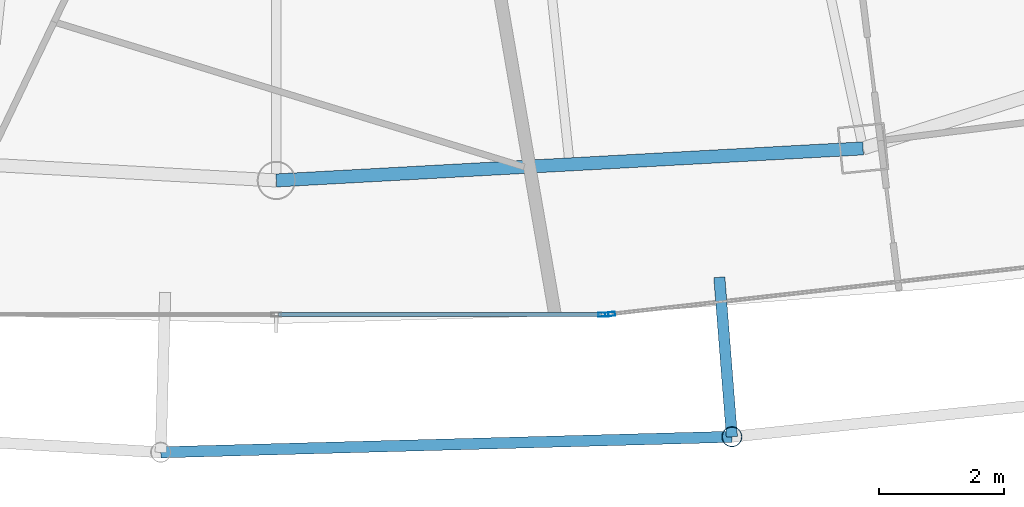
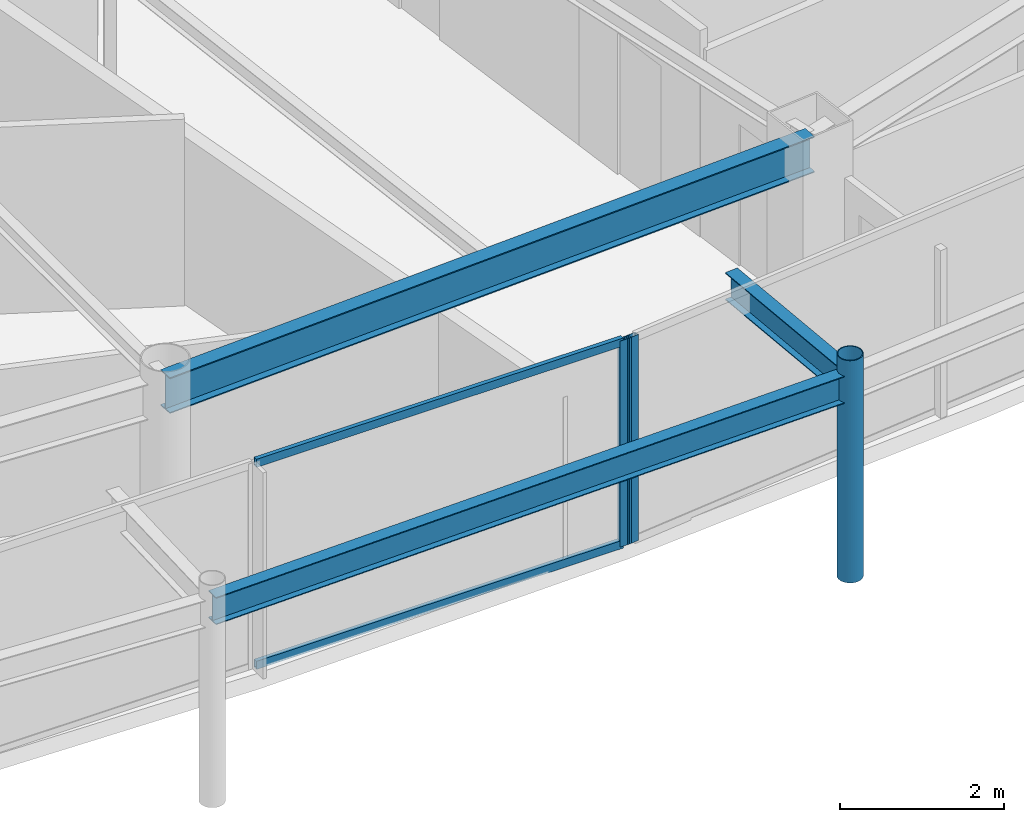
# One storey, part 9 of 33: 5 members, 3 beams, 2 elements without a shape of their own.
"""IFC4 building model written with IfcOpenShell, lengths in metres."""

import ifcopenshell
import ifcopenshell.guid

model = None  # the IFC model being written
_history = None  # IfcOwnerHistory: only IFC2X3 demands one
_inside = {}  # id of a spatial element -> (the spatial element, [elements in it])
_under = {}  # id of a project, library or spatial element -> (it, [spatial elements below it])
_declared = {}  # id of a project -> (the project, [libraries it declares])
_typed = {}  # id of a type object -> (the type object, [elements of that type])
_made_of = {}  # id of a material, layer set ... -> (it, [elements and type objects made of it])


def new_model(schema):
    """Start an empty IFC model of exactly this schema.

    Asked for "IFC4X3", IfcOpenShell would pick the latest addendum, in which some entities
    have other attributes; the version numbers below select the first issue.
    IFC2X3 requires an IfcOwnerHistory on every rooted entity: one is made here for all.
    """
    global model, _history
    if schema == "IFC4X3":
        model = ifcopenshell.file(schema_version=(4, 3, 0, 0))
    else:
        model = ifcopenshell.file(schema=schema)
    _inside.clear()
    _under.clear()
    _declared.clear()
    _typed.clear()
    _made_of.clear()
    _history = None
    if model.schema == "IFC2X3":
        org = make("IfcOrganization", Name="unknown")
        user = make(
            "IfcPersonAndOrganization",
            ThePerson=make("IfcPerson", FamilyName="unknown"),
            TheOrganization=org,
        )
        app = make(
            "IfcApplication",
            ApplicationDeveloper=org,
            Version="unknown",
            ApplicationFullName="unknown",
            ApplicationIdentifier="unknown",
        )
        _history = make(
            "IfcOwnerHistory",
            OwningUser=user,
            OwningApplication=app,
            ChangeAction="ADDED",
            CreationDate=0,
        )
    return model


def make(cls, **values):
    """One entity of the class cls with the attributes given. An attribute that is None is left unset."""
    return model.create_entity(
        cls, **{name: value for name, value in values.items() if value is not None}
    )


def rooted(cls, **values):
    """An entity with a GlobalId (a new one), such as an element, a storey or a relation."""
    return make(cls, GlobalId=ifcopenshell.guid.new(), OwnerHistory=_history, **values)


def si_unit(unit_type, name, prefix=None):
    """IfcSIUnit, for example si_unit("LENGTHUNIT", "METRE", prefix="MILLI")."""
    return make("IfcSIUnit", UnitType=unit_type, Prefix=prefix, Name=name)


def assignment(units):
    """IfcUnitAssignment: the units of a project."""
    return None if units is None else make("IfcUnitAssignment", Units=units)


def point(xyz):
    """IfcCartesianPoint."""
    return None if xyz is None else make("IfcCartesianPoint", Coordinates=xyz)


def direction(xyz):
    """IfcDirection."""
    return None if xyz is None else make("IfcDirection", DirectionRatios=xyz)


def frame(location, z_axis=None, x_axis=None):
    """IfcAxis2Placement3D, a coordinate frame: its origin and axes. An axis left out is left unset."""
    return make(
        "IfcAxis2Placement3D",
        Location=point(location),
        Axis=direction(z_axis),
        RefDirection=direction(x_axis),
    )


def frame_2d(location, x_axis=None):
    """IfcAxis2Placement2D, a coordinate frame in the plane: its origin and x axis."""
    return make(
        "IfcAxis2Placement2D", Location=point(location), RefDirection=direction(x_axis)
    )


def origin():
    """The frame at (0, 0, 0) with its axes left unset."""
    return frame((0.0, 0.0, 0.0))


def origin_2d():
    """The frame at (0, 0) in the plane with its x axis left unset."""
    return frame_2d((0.0, 0.0))


def place(relative_to, where):
    """IfcLocalPlacement: puts the frame where relative to a parent placement (None: the world)."""
    return make(
        "IfcLocalPlacement", PlacementRelTo=relative_to, RelativePlacement=where
    )


def context(
    kind, dimensions, precision=None, world=None, true_north=None, identifier=None
):
    """IfcGeometricRepresentationContext, for example the 3D "Model" context."""
    return make(
        "IfcGeometricRepresentationContext",
        ContextIdentifier=identifier,
        ContextType=kind,
        CoordinateSpaceDimension=dimensions,
        Precision=precision,
        WorldCoordinateSystem=world,
        TrueNorth=true_north,
    )


def subcontext(parent, identifier, kind, view, scale=None):
    """IfcGeometricRepresentationSubContext, for example "Body" below "Model"."""
    return make(
        "IfcGeometricRepresentationSubContext",
        ContextIdentifier=identifier,
        ContextType=kind,
        ParentContext=parent,
        TargetScale=scale,
        TargetView=view,
    )


def project(units=None, contexts=None):
    """IfcProject with its units and contexts."""
    return rooted(
        "IfcProject",
        Name="project",
        RepresentationContexts=contexts,
        UnitsInContext=assignment(units),
    )


def spatial(cls, under=None, at=None, **own):
    """A site, building, storey or space (cls), placed at a placement, below another one or the project."""
    s = rooted(cls, ObjectPlacement=at, **own)
    if under is not None:
        _under.setdefault(under.id(), (under, []))[1].append(s)
    return s


def profile(cls, at=None, kind="AREA", **sizes):
    """A parametric profile (cls). Its sizes go by their IFC names, for example OverallWidth=200.0."""
    return make(cls, ProfileType=kind, Position=at, **sizes)


def hollow_rectangle(**sizes):
    """IfcRectangleHollowProfileDef."""
    return profile("IfcRectangleHollowProfileDef", **sizes)


def hollow_circle(**sizes):
    """IfcCircleHollowProfileDef."""
    return profile("IfcCircleHollowProfileDef", **sizes)


def i_section(**sizes):
    """IfcIShapeProfileDef."""
    return profile("IfcIShapeProfileDef", **sizes)


def extrude(swept, where, along, depth):
    """IfcExtrudedAreaSolid: the profile swept, set in the frame where, extruded along a direction by depth."""
    return make(
        "IfcExtrudedAreaSolid",
        SweptArea=swept,
        Position=where,
        ExtrudedDirection=direction(along),
        Depth=depth,
    )


def shape(context_of_items, identifier, shape_type, items):
    """IfcShapeRepresentation: the items that make up one representation, for example the "Body"."""
    return make(
        "IfcShapeRepresentation",
        ContextOfItems=context_of_items,
        RepresentationIdentifier=identifier,
        RepresentationType=shape_type,
        Items=items,
    )


def material(Name=None, Category=None):
    """IfcMaterial."""
    return make("IfcMaterial", Name=Name, Category=Category)


def layer(
    of_material, thickness, ventilated=None, Name=None, Category=None, Priority=None
):
    """IfcMaterialLayer: one layer of a wall or slab, of a material (None: an air gap)."""
    return make(
        "IfcMaterialLayer",
        Material=of_material,
        LayerThickness=thickness,
        IsVentilated=ventilated,
        Name=Name,
        Category=Category,
        Priority=Priority,
    )


def layer_set(layers, Name=None):
    """IfcMaterialLayerSet."""
    return make("IfcMaterialLayerSet", MaterialLayers=layers, LayerSetName=Name)


def material_profile(
    of_material, cross_section, Name=None, Category=None, Priority=None
):
    """IfcMaterialProfile: a cross section and its material."""
    return make(
        "IfcMaterialProfile",
        Name=Name,
        Material=of_material,
        Profile=cross_section,
        Priority=Priority,
        Category=Category,
    )


def profile_set(profiles, Name=None, composite=None):
    """IfcMaterialProfileSet."""
    return make(
        "IfcMaterialProfileSet",
        Name=Name,
        MaterialProfiles=profiles,
        CompositeProfile=composite,
    )


def made_of(thing, what):
    """Note that an element or type object is made of a material, layer set ...; save() writes the relation."""
    if what is not None:
        _made_of.setdefault(what.id(), (what, []))[1].append(thing)
    return thing


def type_object(cls, material=None, **own):
    """A type object (cls), such as IfcWallType, which elements share."""
    return made_of(rooted(cls, **own), material)


def element(
    cls,
    number,
    at=None,
    inside=None,
    cuts=None,
    type_object=None,
    material=None,
    context=None,
    identifier="Body",
    shape_type=None,
    held_by="IfcProductDefinitionShape",
    body=None,
    shapes=None,
    **own,
):
    """One element of the class cls, such as IfcWall. Its Tag is "e" and its number.

    at: its placement. inside: the storey or other place that contains it. cuts: it is an
    opening in that element (IfcRelVoidsElement). A single representation is given by context,
    identifier, shape_type and body (its items); several are given by shapes. held_by: the class
    of the entity that holds the representations. save() writes the other relations.
    """
    e = rooted(cls, Tag="e%d" % number, ObjectPlacement=at, **own)
    if body is not None:
        shapes = [shape(context, identifier, shape_type, body)]
    if shapes is not None:
        e.Representation = make(held_by, Representations=shapes)
    if inside is not None:
        _inside.setdefault(inside.id(), (inside, []))[1].append(e)
    if cuts is not None:
        rooted(
            "IfcRelVoidsElement", RelatingBuildingElement=cuts, RelatedOpeningElement=e
        )
    if type_object is not None:
        _typed.setdefault(type_object.id(), (type_object, []))[1].append(e)
    return made_of(e, material)


def aggregate(whole, parts):
    """IfcRelAggregates: a whole, such as a stair, and the parts it consists of."""
    return rooted("IfcRelAggregates", RelatingObject=whole, RelatedObjects=parts)


def save(model, path):
    """Write the relations noted so far, then the file.

    IfcRelAggregates (storeys below a building ...), IfcRelContainedInSpatialStructure (elements
    in a storey), IfcRelDefinesByType, IfcRelAssociatesMaterial and IfcRelDeclares: one each for
    every whole, place, type object, material and project.
    """
    for whole, parts in _under.values():
        aggregate(whole, parts)
    for where, things in _inside.values():
        rooted(
            "IfcRelContainedInSpatialStructure",
            RelatedElements=things,
            RelatingStructure=where,
        )
    for kind, things in _typed.values():
        rooted("IfcRelDefinesByType", RelatedObjects=things, RelatingType=kind)
    for what, things in _made_of.values():
        rooted("IfcRelAssociatesMaterial", RelatedObjects=things, RelatingMaterial=what)
    for by, libraries in _declared.values():
        rooted("IfcRelDeclares", RelatingContext=by, RelatedDefinitions=libraries)
    model.write(path)


model = new_model("IFC4")

# Units and contexts
model_context = context("Model", 3, precision=1e-05, world=origin(), true_north=direction((0.0, 1.0)))
body_context = subcontext(model_context, "Body", "Model", "MODEL_VIEW")
ifc_project = project(units=[si_unit("LENGTHUNIT", "METRE"), si_unit("AREAUNIT", "SQUARE_METRE"), si_unit("VOLUMEUNIT", "CUBIC_METRE"), si_unit("PLANEANGLEUNIT", "RADIAN"), si_unit("MASSUNIT", "GRAM", prefix="KILO")], contexts=[model_context])

# Site, building, storey
site_placement = place(None, origin())
site = spatial("IfcSite", under=ifc_project, at=site_placement, CompositionType="ELEMENT")
building_placement = place(site_placement, origin())
building = spatial("IfcBuilding", under=site, at=building_placement, Name="Orvanel Arch Residences", CompositionType="ELEMENT")
storey_placement = place(building_placement, frame((0.0, 0.0, 209.60009765625)))
storey = spatial("IfcBuildingStorey", under=building, at=storey_placement, Name="L59", CompositionType="ELEMENT", Elevation=209.60009765625)

# Curtain wall, member
ifc_material_1 = material(Name="Bronze-anodised aluminium AA6063-T6", Category="aluminium")
ifc_layer = layer(ifc_material_1, 0.175048828125)
ifc_layer_set = layer_set([ifc_layer], Name="Bronze-anodised aluminium AA6063-T6")
curtain_wall_type = type_object("IfcCurtainWallType", Name="CW4-HI-SYS", PredefinedType="NOTDEFINED", material=ifc_layer_set)
curtain_wall_1_placement = place(storey_placement, origin())
curtain_wall_1 = element("IfcCurtainWall", 1, at=curtain_wall_1_placement, inside=storey, type_object=curtain_wall_type, Name="L59 CW4-HI-SYS Unitised Curtain Wall", PredefinedType="NOTDEFINED")
ifc_material_profile_1 = material_profile(ifc_material_1, hollow_rectangle(XDim=0.06494140625, YDim=0.159912109375, WallThickness=0.00390625, at=origin_2d()), Name="ALU160x65x4")
ifc_profile_set_1 = profile_set([ifc_material_profile_1], Name="Bronze-anodised aluminium AA6063-T6")
member_type_1 = type_object("IfcMemberType", Name="MUL-160x65", PredefinedType="MULLION", material=ifc_profile_set_1)
member_1_placement = place(storey_placement, frame((38.214599609375, 4.70703125, 0.0), z_axis=(0.0, 0.0, 1.0), x_axis=(0.0, 1.0, 0.0)))
member_1 = element("IfcMember", 2, at=member_1_placement, type_object=member_type_1, Name="CW-S4 mullion 3", PredefinedType="MULLION", context=body_context, shape_type="SweptSolid", body=[
    extrude(hollow_rectangle(XDim=0.06494140625, YDim=0.159912109375, WallThickness=0.00390625, at=origin_2d()), origin(), (0.0, 0.0, 1.0), 3.059814453125),
])

curtain_wall_2_placement = place(storey_placement, origin())
curtain_wall_2 = element("IfcCurtainWall", 3, at=curtain_wall_2_placement, inside=storey, type_object=curtain_wall_type, Name="L59 CW4-HI-SYS Unitised Curtain Wall", PredefinedType="NOTDEFINED")
member_2_placement = place(storey_placement, frame((38.3193359375, 4.712646484375, 0.0), z_axis=(0.0, 0.0, 1.0), x_axis=(-0.11203680669, 0.993704057528, 0.0)))
member_2 = element("IfcMember", 4, at=member_2_placement, type_object=member_type_1, Name="CW-S4 mullion 1", PredefinedType="MULLION", context=body_context, shape_type="SweptSolid", body=[
    extrude(hollow_rectangle(XDim=0.06494140625, YDim=0.159912109375, WallThickness=0.00390625, at=origin_2d()), origin(), (0.0, 0.0, 1.0), 3.059814453125),
])
aggregate(curtain_wall_2, [member_2])

# Beams
ifc_material_2 = material(Name="Structural steel AS/NZS 3679.1 Grade 300 (300 MPa)", Category="steel")
ifc_material_profile_2 = material_profile(ifc_material_2, i_section(OverallWidth=0.177978515625, OverallDepth=0.406005859375, WebThickness=0.0078125, FlangeThickness=0.0126953125, at=origin_2d()), Name="410UB59.7")
ifc_profile_set_2 = profile_set([ifc_material_profile_2], Name="Structural steel AS/NZS 3679.1 Grade 300 (300 MPa)")
beam_type_1 = type_object("IfcBeamType", Name="OB-410UB-EXT", PredefinedType="SPANDREL", material=ifc_profile_set_2)
beam_1_placement = place(storey_placement, frame((31.157958984375, 2.510986328125, 2.85693359375), z_axis=(0.999628957152, 0.027238722858, 0.0), x_axis=(-0.027238722858, 0.999628957152, 0.0)))
element("IfcBeam", 5, at=beam_1_placement, inside=storey, type_object=beam_type_1, Name="L59 Outer Perimeter Floor Ring Beam 06", PredefinedType="SPANDREL", context=body_context, shape_type="SweptSolid", body=[
    extrude(i_section(OverallWidth=0.177978515625, OverallDepth=0.406005859375, WebThickness=0.0078125, FlangeThickness=0.0126953125, at=origin_2d()), origin(), (0.0, 0.0, 1.0), 9.1064453125),
])
beam_2_placement = place(storey_placement, frame((40.06005859375, 5.301025390625, 2.85693359375), z_axis=(0.078797636407, -0.996890632164, 0.0), x_axis=(0.996890632164, 0.078797636407, 0.0)))
element("IfcBeam", 6, at=beam_2_placement, inside=storey, type_object=beam_type_1, Name="L59 Outer Frame Radial Tie Beam 07", PredefinedType="SPANDREL", context=body_context, shape_type="SweptSolid", body=[
    extrude(i_section(OverallWidth=0.177978515625, OverallDepth=0.406005859375, WebThickness=0.0078125, FlangeThickness=0.0126953125, at=origin_2d()), origin(), (0.0, 0.0, 1.0), 2.5498046875),
])
ifc_material_profile_3 = material_profile(ifc_material_2, i_section(OverallWidth=0.208984375, OverallDepth=0.532958984375, WebThickness=0.01025390625, FlangeThickness=0.015625, at=origin_2d()), Name="530UB92.4")
ifc_profile_set_3 = profile_set([ifc_material_profile_3], Name="Structural steel AS/NZS 3679.1 Grade 300 (300 MPa)")
beam_type_2 = type_object("IfcBeamType", Name="SP-530UB", PredefinedType="SPANDREL", material=ifc_profile_set_3)
beam_3_placement = place(storey_placement, frame((33.0, 6.843994140625, 2.79296875), z_axis=(0.998510315598, 0.054563262768, 0.0), x_axis=(-0.054563262768, 0.998510315598, 0.0)))
element("IfcBeam", 7, at=beam_3_placement, inside=storey, type_object=beam_type_2, Name="L59 Perimeter Spandrel Beam 04", PredefinedType="SPANDREL", context=body_context, shape_type="SweptSolid", body=[
    extrude(i_section(OverallWidth=0.208984375, OverallDepth=0.532958984375, WebThickness=0.01025390625, FlangeThickness=0.015625, at=origin_2d()), origin(), (0.0, 0.0, 1.0), 9.364990234375),
])

# Member
ifc_material_3 = material(Name="Structural steel AS/NZS 1163 C350L0 (Grade 350)", Category="steel")
ifc_material_profile_4 = material_profile(ifc_material_3, hollow_circle(Radius=0.162109375, WallThickness=0.0126953125, at=origin_2d()), Name="CHS324x12.7")
ifc_profile_set_4 = profile_set([ifc_material_profile_4], Name="Structural steel AS/NZS 1163 C350L0 (Grade 350)")
member_type_2 = type_object("IfcMemberType", Name="ST-324CHS-EXT", PredefinedType="STRUT", material=ifc_profile_set_4)
member_3_placement = place(storey_placement, frame((40.260986328125, 2.759033203125, 0.0), z_axis=(0.0, 0.0, 1.0), x_axis=(1.0, 0.0, 0.0)))
element("IfcMember", 8, at=member_3_placement, inside=storey, type_object=member_type_2, Name="L59 Outer Perimeter Frame Post 07", PredefinedType="STRUT", context=body_context, shape_type="SweptSolid", body=[
    extrude(hollow_circle(Radius=0.162109375, WallThickness=0.0126953125, at=origin_2d()), origin(), (0.0, 0.0, 1.0), 3.2998046875),
])

ifc_material_profile_5 = material_profile(ifc_material_1, hollow_rectangle(XDim=0.06005859375, YDim=0.1201171875, WallThickness=0.00341796875, at=origin_2d()), Name="ALU120x60x3.5")
ifc_profile_set_5 = profile_set([ifc_material_profile_5], Name="Bronze-anodised aluminium AA6063-T6")
member_type_3 = type_object("IfcMemberType", Name="TRN-120x60", PredefinedType="USERDEFINED", material=ifc_profile_set_5)
member_4_placement = place(storey_placement, frame((33.032470703125, 4.70703125, 0.02978515625), z_axis=(1.0, 0.0, 0.0), x_axis=(0.0, 1.0, 0.0)))
member_4 = element("IfcMember", 9, at=member_4_placement, type_object=member_type_3, Name="CW-S4 transom 2.1", ObjectType="TRANSOM", PredefinedType="USERDEFINED", context=body_context, shape_type="SweptSolid", body=[
    extrude(hollow_rectangle(XDim=0.06005859375, YDim=0.1201171875, WallThickness=0.00341796875, at=origin_2d()), origin(), (0.0, 0.0, 1.0), 5.1494140625),
])

member_5_placement = place(storey_placement, frame((33.032470703125, 4.70703125, 3.02978515625), z_axis=(1.0, 0.0, 0.0), x_axis=(0.0, 1.0, 0.0)))
member_5 = element("IfcMember", 10, at=member_5_placement, type_object=member_type_3, Name="CW-S4 transom 2.2", ObjectType="TRANSOM", PredefinedType="USERDEFINED", context=body_context, shape_type="SweptSolid", body=[
    extrude(hollow_rectangle(XDim=0.06005859375, YDim=0.1201171875, WallThickness=0.00341796875, at=origin_2d()), origin(), (0.0, 0.0, 1.0), 5.1494140625),
])

aggregate(curtain_wall_1, [member_1, member_4, member_5])

save(model, "model.ifc")
